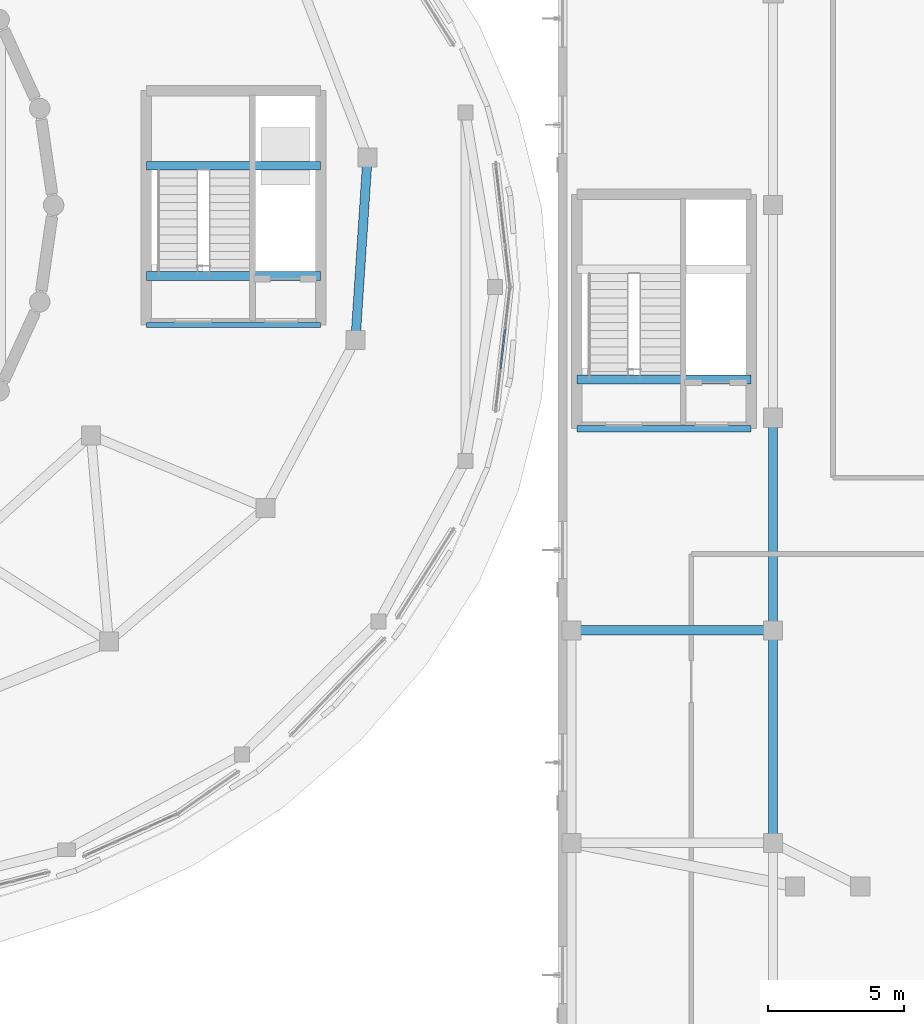
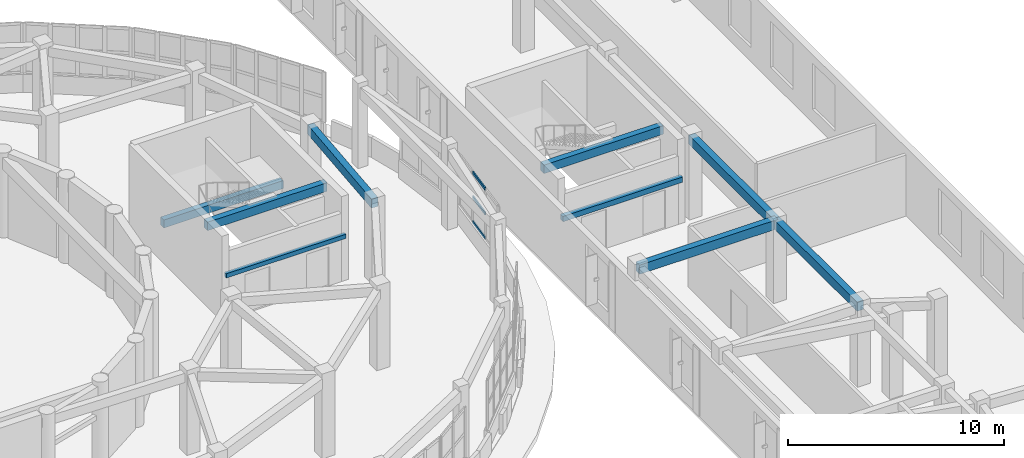
# One storey, part 50 of 98: 9 beams, 3 members, 1 element without a shape of its own.
"""IFC4 building model written with IfcOpenShell, lengths in metres."""

from ifc_helpers import new_model, si_unit, direction, frame, origin, origin_2d, place, context, subcontext, project, spatial, rectangle, hollow_rectangle, extrude, material, layer, layer_set, material_profile, profile_set, type_object, element, aggregate, save


model = new_model("IFC4")

# Units and contexts
model_context = context("Model", 3, precision=1e-05, world=origin(), true_north=direction((0.0, 1.0)))
body_context = subcontext(model_context, "Body", "Model", "MODEL_VIEW")
ifc_project = project(units=[si_unit("LENGTHUNIT", "METRE"), si_unit("AREAUNIT", "SQUARE_METRE"), si_unit("VOLUMEUNIT", "CUBIC_METRE"), si_unit("PLANEANGLEUNIT", "RADIAN"), si_unit("MASSUNIT", "GRAM", prefix="KILO")], contexts=[model_context])

# Site, building, storey
site_placement = place(None, origin())
site = spatial("IfcSite", under=ifc_project, at=site_placement, CompositionType="ELEMENT")
building_placement = place(site_placement, origin())
building = spatial("IfcBuilding", under=site, at=building_placement, Name="Pelvatis Terrace Science Centre", CompositionType="ELEMENT")
storey_placement = place(building_placement, frame((0.0, 0.0, 5.39990234375)))
storey = spatial("IfcBuildingStorey", under=building, at=storey_placement, Name="L01", CompositionType="ELEMENT", Elevation=5.39990234375)

# Beams
ifc_material_1 = material(Name="Concrete C35/45", Category="concrete")
ifc_material_profile_1 = material_profile(ifc_material_1, rectangle(XDim=0.300048828125, YDim=0.449951171875, at=origin_2d()), Name="RC-BM 300x450")
ifc_profile_set_1 = profile_set([ifc_material_profile_1], Name="Concrete C35/45")
beam_type_1 = type_object("IfcBeamType", Name="BM-RC-300x450", PredefinedType="BEAM", material=ifc_profile_set_1)
beam_1_placement = place(storey_placement, frame((125.199951171875, 87.25, 1.97509765625), z_axis=(1.0, 0.0, 0.0), x_axis=(0.0, 1.0, 0.0)))
element("IfcBeam", 1, at=beam_1_placement, inside=storey, type_object=beam_type_1, Name="Core C2 half-landing beam (L01)", PredefinedType="BEAM", context=body_context, shape_type="SweptSolid", body=[
    extrude(rectangle(XDim=0.300048828125, YDim=0.449951171875, at=origin_2d()), origin(), (0.0, 0.0, 1.0), 6.400146484375),
])
ifc_material_2 = material(Name="Concrete C35/45", Category="concrete")
ifc_material_profile_2 = material_profile(ifc_material_2, rectangle(XDim=0.320068359375, YDim=0.47998046875, at=origin_2d()), Name="RC-BM 320x480")
ifc_profile_set_2 = profile_set([ifc_material_profile_2], Name="Concrete C35/45")
beam_type_2 = type_object("IfcBeamType", Name="BM-RC-320x480", PredefinedType="BEAM", material=ifc_profile_set_2)
beam_2_placement = place(storey_placement, frame((125.199951171875, 83.199951171875, 4.300048828125), z_axis=(1.0, 0.0, 0.0), x_axis=(0.0, 1.0, 0.0)))
element("IfcBeam", 2, at=beam_2_placement, inside=storey, type_object=beam_type_2, Name="Core C2 stair header beam (L01)", PredefinedType="BEAM", context=body_context, shape_type="SweptSolid", body=[
    extrude(rectangle(XDim=0.320068359375, YDim=0.47998046875, at=origin_2d()), origin(), (0.0, 0.0, 1.0), 6.400146484375),
])
beam_3_placement = place(storey_placement, frame((141.0, 79.39990234375, 4.300048828125), z_axis=(1.0, 0.0, 0.0), x_axis=(0.0, 1.0, 0.0)))
element("IfcBeam", 3, at=beam_3_placement, inside=storey, type_object=beam_type_2, Name="Core C3 stair header beam (L01)", PredefinedType="BEAM", context=body_context, shape_type="SweptSolid", body=[
    extrude(rectangle(XDim=0.320068359375, YDim=0.47998046875, at=origin_2d()), origin(), (0.0, 0.0, 1.0), 6.39990234375),
])
ifc_material_3 = material(Name="Concrete C35/45", Category="concrete")
ifc_material_profile_3 = material_profile(ifc_material_3, rectangle(XDim=0.340087890625, YDim=0.52001953125, at=origin_2d()), Name="RC-BM 340x520")
ifc_profile_set_3 = profile_set([ifc_material_profile_3], Name="Concrete C35/45")
beam_type_3 = type_object("IfcBeamType", Name="BM-RC-340x520", PredefinedType="BEAM", material=ifc_profile_set_3)
beam_4_placement = place(storey_placement, frame((133.31884765625, 87.552001953125, 4.280029296875), z_axis=(-0.065837804337, -0.997830338044, 0.0), x_axis=(0.997830338044, -0.065837804337, 0.0)))
element("IfcBeam", 4, at=beam_4_placement, inside=storey, type_object=beam_type_3, Name="Beam BM-L01-2622", PredefinedType="BEAM", context=body_context, shape_type="SweptSolid", body=[
    extrude(rectangle(XDim=0.340087890625, YDim=0.52001953125, at=origin_2d()), origin(), (0.0, 0.0, 1.0), 6.708251953125),
])
beam_5_placement = place(storey_placement, frame((140.800048828125, 70.199951171875, 4.280029296875), z_axis=(1.0, 0.0, 0.0), x_axis=(0.0, 1.0, 0.0)))
element("IfcBeam", 5, at=beam_5_placement, inside=storey, type_object=beam_type_3, Name="Beam BM-L01-2809", PredefinedType="BEAM", context=body_context, shape_type="SweptSolid", body=[
    extrude(rectangle(XDim=0.340087890625, YDim=0.52001953125, at=origin_2d()), origin(), (0.0, 0.0, 1.0), 7.39990234375),
])
for number, where, z_axis, x_axis, name in (
    (6, (148.199951171875, 62.39990234375, 4.280029296875), (0.0, 1.0, 0.0), (-1.0, 0.0, 0.0), "Beam BM-L01-2818"),
    (7, (148.199951171875, 70.199951171875, 4.280029296875), (0.0, 1.0, 0.0), (-1.0, 0.0, 0.0), "Beam BM-L01-2820"),
):
    element("IfcBeam", number, at=place(storey_placement, frame(where, z_axis=z_axis, x_axis=x_axis)), inside=storey, type_object=beam_type_3, Name=name, PredefinedType="BEAM", context=body_context, shape_type="SweptSolid", body=[
        extrude(rectangle(XDim=0.340087890625, YDim=0.52001953125, at=origin_2d()), origin(), (0.0, 0.0, 1.0), 7.800048828125),
    ])

# Curtain wall, members
ifc_material_4 = material(Name="Bronze-anodised aluminium and laminated glass", Category="aluminium")
ifc_layer = layer(ifc_material_4, 0.199951171875)
ifc_layer_set = layer_set([ifc_layer], Name="Bronze-anodised aluminium and laminated glass")
curtain_wall_type = type_object("IfcCurtainWallType", Name="CW-RIBBON-B", PredefinedType="NOTDEFINED", material=ifc_layer_set)
curtain_wall_placement = place(storey_placement, origin())
curtain_wall = element("IfcCurtainWall", 8, at=curtain_wall_placement, inside=storey, type_object=curtain_wall_type, Name="Ribbon curtain wall CW-153 (L01)", PredefinedType="NOTDEFINED")
ifc_material_5 = material(Name="Bronze-anodised aluminium 6063-T6", Category="aluminium")
ifc_material_profile_4 = material_profile(ifc_material_5, hollow_rectangle(XDim=0.06494140625, YDim=0.159912109375, WallThickness=0.00390625, at=origin_2d()), Name="ALU-TRN 65x160")
ifc_profile_set_4 = profile_set([ifc_material_profile_4], Name="Bronze-anodised aluminium 6063-T6")
member_type = type_object("IfcMemberType", Name="CWT-65x160", PredefinedType="USERDEFINED", material=ifc_profile_set_4)
member_1_placement = place(storey_placement, frame((138.2021484375, 79.808349609375, 1.052490234375), z_axis=(0.115431662514, 0.993315423866, 0.0), x_axis=(-0.993315423866, 0.115431662514, 0.0)))
member_1 = element("IfcMember", 9, at=member_1_placement, type_object=member_type, Name="CW-153 transom 2.1", ObjectType="TRANSOM", PredefinedType="USERDEFINED", context=body_context, shape_type="SweptSolid", body=[
    extrude(hollow_rectangle(XDim=0.06494140625, YDim=0.159912109375, WallThickness=0.00390625, at=origin_2d()), origin(), (0.0, 0.0, 1.0), 1.457275390625),
])
member_2_placement = place(storey_placement, frame((138.2021484375, 79.808349609375, 2.440185546875), z_axis=(0.115431662514, 0.993315423866, 0.0), x_axis=(-0.993315423866, 0.115431662514, 0.0)))
member_2 = element("IfcMember", 10, at=member_2_placement, type_object=member_type, Name="CW-153 transom 2.2", ObjectType="TRANSOM", PredefinedType="USERDEFINED", context=body_context, shape_type="SweptSolid", body=[
    extrude(hollow_rectangle(XDim=0.06494140625, YDim=0.159912109375, WallThickness=0.00390625, at=origin_2d()), origin(), (0.0, 0.0, 1.0), 1.457275390625),
])
member_3_placement = place(storey_placement, frame((138.2021484375, 79.808349609375, 3.82763671875), z_axis=(0.115431662514, 0.993315423866, 0.0), x_axis=(-0.993315423866, 0.115431662514, 0.0)))
member_3 = element("IfcMember", 11, at=member_3_placement, type_object=member_type, Name="CW-153 transom 2.3", ObjectType="TRANSOM", PredefinedType="USERDEFINED", context=body_context, shape_type="SweptSolid", body=[
    extrude(hollow_rectangle(XDim=0.06494140625, YDim=0.159912109375, WallThickness=0.00390625, at=origin_2d()), origin(), (0.0, 0.0, 1.0), 1.457275390625),
])
aggregate(curtain_wall, [member_1, member_2, member_3])

# Beams
ifc_material_6 = material(Name="Concrete C35/45", Category="concrete")
ifc_material_profile_5 = material_profile(ifc_material_6, rectangle(XDim=0.179931640625, YDim=0.239990234375, at=origin_2d()), Name="RC-LNT 180x240")
ifc_profile_set_5 = profile_set([ifc_material_profile_5], Name="Concrete C35/45")
beam_type_4 = type_object("IfcBeamType", Name="LNT-RC-180x240", PredefinedType="LINTEL", material=ifc_profile_set_5)
beam_6_placement = place(storey_placement, frame((125.199951171875, 81.39990234375, 2.550048828125), z_axis=(1.0, 0.0, 0.0), x_axis=(0.0, 1.0, 0.0)))
element("IfcBeam", 12, at=beam_6_placement, inside=storey, type_object=beam_type_4, Name="Core C2 lobby structural lintel (L01)", PredefinedType="LINTEL", context=body_context, shape_type="SweptSolid", body=[
    extrude(rectangle(XDim=0.179931640625, YDim=0.239990234375, at=origin_2d()), origin(), (0.0, 0.0, 1.0), 6.400146484375),
])
ifc_material_7 = material(Name="Concrete C35/45", Category="concrete")
ifc_material_profile_6 = material_profile(ifc_material_7, rectangle(XDim=0.239990234375, YDim=0.300048828125, at=origin_2d()), Name="RC-LNT 240x300")
ifc_profile_set_6 = profile_set([ifc_material_profile_6], Name="Concrete C35/45")
beam_type_5 = type_object("IfcBeamType", Name="LNT-RC-240x300", PredefinedType="LINTEL", material=ifc_profile_set_6)
beam_7_placement = place(storey_placement, frame((141.0, 77.60009765625, 2.550048828125), z_axis=(1.0, 0.0, 0.0), x_axis=(0.0, 1.0, 0.0)))
element("IfcBeam", 13, at=beam_7_placement, inside=storey, type_object=beam_type_5, Name="Core C3 lobby structural lintel (L01)", PredefinedType="LINTEL", context=body_context, shape_type="SweptSolid", body=[
    extrude(rectangle(XDim=0.239990234375, YDim=0.300048828125, at=origin_2d()), origin(), (0.0, 0.0, 1.0), 6.39990234375),
])

save(model, "model.ifc")
